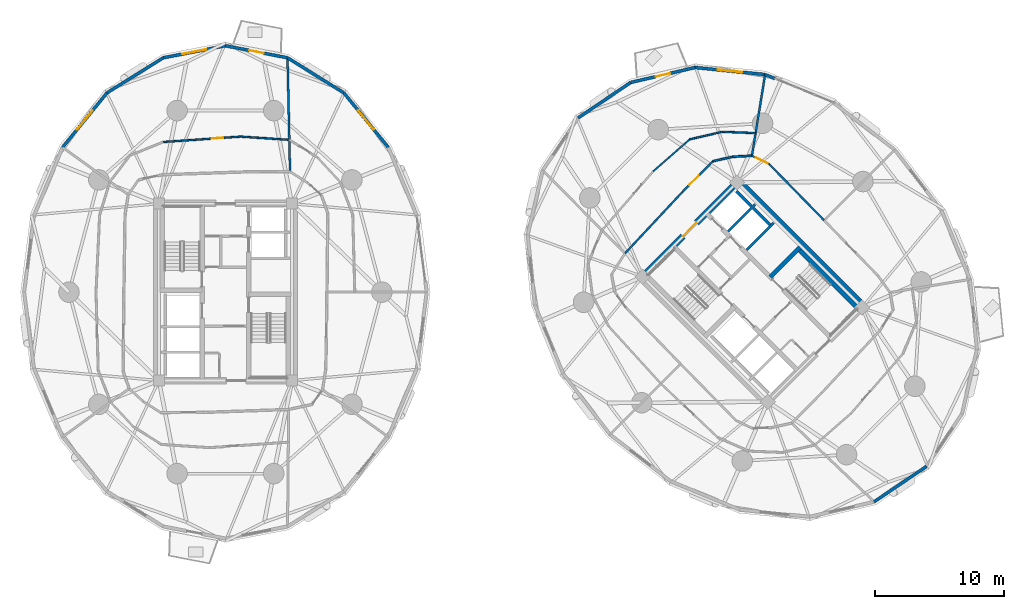
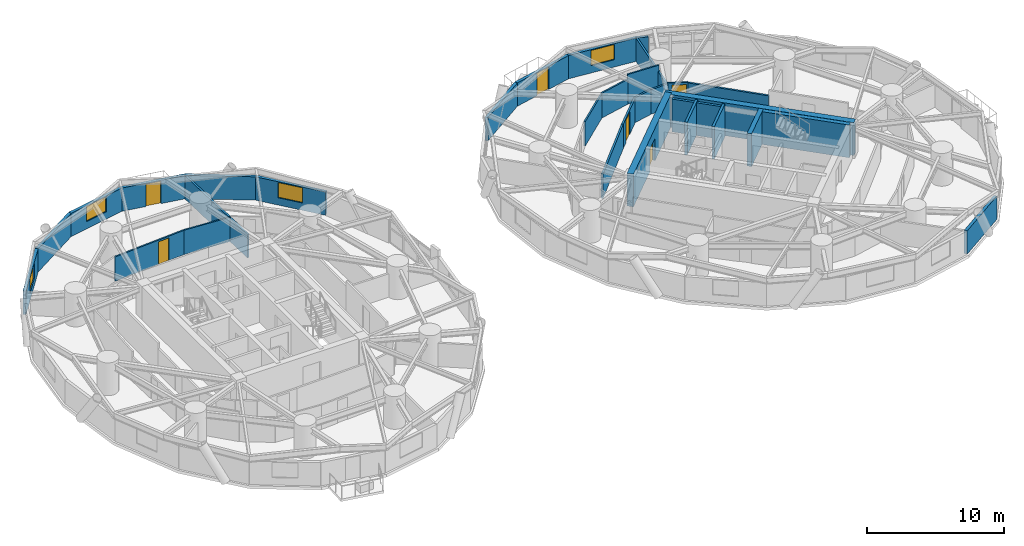
# One storey, part 13 of 17: 32 walls, 6 doors, 4 windows, 10 openings.
"""IFC4 building model written with IfcOpenShell, lengths in metres."""

from ifc_helpers import new_model, si_unit, direction, frame, frame_2d, origin, place, context, subcontext, project, spatial, rectangle, extrude, source, transform, mapped, material, layer, layer_set, type_object, element, fill, save


model = new_model("IFC4")

# Units and contexts
model_context = context("Model", 3, precision=1e-05, world=origin(), true_north=direction((0.0, 1.0)))
body_context = subcontext(model_context, "Body", "Model", "MODEL_VIEW")
ifc_project = project(units=[si_unit("LENGTHUNIT", "METRE"), si_unit("AREAUNIT", "SQUARE_METRE"), si_unit("VOLUMEUNIT", "CUBIC_METRE"), si_unit("PLANEANGLEUNIT", "RADIAN"), si_unit("MASSUNIT", "GRAM", prefix="KILO")], contexts=[model_context])

# Site, building, storey
site_placement = place(None, origin())
site = spatial("IfcSite", under=ifc_project, at=site_placement, CompositionType="ELEMENT")
building_placement = place(site_placement, origin())
building = spatial("IfcBuilding", under=site, at=building_placement, Name="Cununo Teusaquillo Station Towers", CompositionType="ELEMENT")
storey_placement = place(building_placement, frame((0.0, 0.0, 59.830078125)))
storey = spatial("IfcBuildingStorey", under=building, at=storey_placement, Name="L18", CompositionType="ELEMENT", Elevation=59.830078125)

# Walls
ifc_material_1 = material(Name="Concrete C50/60", Category="concrete")
ifc_layer_1 = layer(ifc_material_1, 0.199951171875)
ifc_layer_set_1 = layer_set([ifc_layer_1], Name="Concrete C50/60")
wall_type_1 = type_object("IfcWallType", Name="WL-CORE-200", PredefinedType="SHEAR", material=ifc_layer_set_1)
wall_1_placement = place(storey_placement, frame((57.0615234375, 27.781005859375, 0.0), z_axis=(0.0, 0.0, 1.0), x_axis=(0.707106781187, 0.707106781187, 0.0)))
element("IfcWall", 1, at=wall_1_placement, inside=storey, type_object=wall_type_1, Name="L18 Tower B Low-Rise Lift Hoistway South Shear Wall", PredefinedType="SHEAR", context=body_context, shape_type="SweptSolid", body=[
    extrude(rectangle(XDim=2.969970703125, YDim=0.199951171875, at=frame_2d((1.48486328125, 0.0))), origin(), (0.0, 0.0, 1.0), 2.909912109375),
])
wall_2_placement = place(storey_placement, frame((55.615478515625, 29.22705078125, 0.0), z_axis=(0.0, 0.0, 1.0), x_axis=(0.707147878904, 0.70706568108, 0.0)))
element("IfcWall", 2, at=wall_2_placement, inside=storey, type_object=wall_type_1, Name="L18 Tower B Low-Rise Lift Hoistway Divider Shear Wall", PredefinedType="SHEAR", context=body_context, shape_type="SweptSolid", body=[
    extrude(rectangle(XDim=2.97021484375, YDim=0.199951171875, at=frame_2d((1.485107421875, 0.0))), origin(), (0.0, 0.0, 1.0), 2.909912109375),
])
wall_3_placement = place(storey_placement, frame((58.86474609375, 29.75390625, 0.0), z_axis=(0.0, 0.0, 1.0), x_axis=(-0.707174411312, 0.707039144592, 0.0)))
element("IfcWall", 3, at=wall_3_placement, inside=storey, type_object=wall_type_1, Name="L18 Tower B Low-Rise Lift 1 Shaft Rear Shear Wall", PredefinedType="SHEAR", context=body_context, shape_type="SweptSolid", body=[
    extrude(rectangle(XDim=1.804931640625, YDim=0.199951171875, at=frame_2d((0.90234375, 0.0))), origin(), (0.0, 0.0, 1.0), 2.909912109375),
])
wall_4_placement = place(storey_placement, frame((57.418701171875, 31.19970703125, 0.0), z_axis=(0.0, 0.0, 1.0), x_axis=(-0.707032117043, 0.707181437447, 0.0)))
element("IfcWall", 4, at=wall_4_placement, inside=storey, type_object=wall_type_1, Name="L18 Tower B Low-Rise Lift 2 Shaft Rear Shear Wall", PredefinedType="SHEAR", context=body_context, shape_type="SweptSolid", body=[
    extrude(rectangle(XDim=1.635009765625, YDim=0.199951171875, at=frame_2d((0.8173828125, 0.0))), origin(), (0.0, 0.0, 1.0), 2.909912109375),
])
ifc_material_2 = material(Name="Concrete C50/60", Category="concrete")
ifc_layer_2 = layer(ifc_material_2, 0.35009765625)
ifc_layer_set_2 = layer_set([ifc_layer_2], Name="Concrete C50/60")
wall_type_2 = type_object("IfcWallType", Name="WL-CORE-350", PredefinedType="SHEAR", material=ifc_layer_set_2)
wall_5_placement = place(storey_placement, frame((65.847412109375, 23.08935546875, 0.0), z_axis=(0.0, 0.0, 1.0), x_axis=(-0.707106781187, 0.707106781187, 0.0)))
element("IfcWall", 5, at=wall_5_placement, inside=storey, type_object=wall_type_2, Name="L18 Tower B Core Shear Wall ST2E", PredefinedType="SHEAR", context=body_context, shape_type="SweptSolid", body=[
    extrude(rectangle(XDim=6.7451171875, YDim=0.35009765625, at=frame_2d((3.37255859375, 0.0))), origin(), (0.0, 0.0, 1.0), 2.909912109375),
])
wall_6_placement = place(storey_placement, frame((58.89306640625, 25.673828125, 0.0), z_axis=(0.0, 0.0, 1.0), x_axis=(0.707106781187, 0.707106781187, 0.0)))
element("IfcWall", 6, at=wall_6_placement, inside=storey, type_object=wall_type_2, Name="L18 Tower B Core Shear Wall ST2N", PredefinedType="SHEAR", context=body_context, shape_type="SweptSolid", body=[
    extrude(rectangle(XDim=3.284912109375, YDim=0.35009765625, at=frame_2d((1.642578125, 0.0))), origin(), (0.0, 0.0, 1.0), 2.909912109375),
])
ifc_material_3 = material(Name="Concrete C60/75", Category="concrete")
ifc_layer_3 = layer(ifc_material_3, 0.5)
ifc_layer_set_3 = layer_set([ifc_layer_3], Name="Concrete C60/75")
wall_type_3 = type_object("IfcWallType", Name="WL-CORE-500", PredefinedType="SHEAR", material=ifc_layer_set_3)
wall_7_placement = place(storey_placement, frame((66.3388671875, 23.227294921875, 0.0), z_axis=(0.0, 0.0, 1.0), x_axis=(-0.707106781187, 0.707106781187, 0.0)))
element("IfcWall", 7, at=wall_7_placement, inside=storey, type_object=wall_type_3, Name="L18 Tower B Core Shear Wall E", PredefinedType="SHEAR", context=body_context, shape_type="SweptSolid", body=[
    extrude(rectangle(XDim=14.2998046875, YDim=0.5, at=frame_2d((7.14990234375, 0.0))), origin(), (0.0, 0.0, 1.0), 2.909912109375),
])

# Wall, opening, door
wall_8_placement = place(storey_placement, frame((48.837890625, 25.595947265625, 0.0), z_axis=(0.0, 0.0, 1.0), x_axis=(0.707106781187, 0.707106781187, 0.0)))
wall_8 = element("IfcWall", 8, at=wall_8_placement, inside=storey, type_object=wall_type_3, Name="L18 Tower B Core Shear Wall N", PredefinedType="SHEAR", context=body_context, shape_type="SweptSolid", body=[
    extrude(rectangle(XDim=10.7001953125, YDim=0.5, at=frame_2d((5.35009765625, 0.0))), origin(), (0.0, 0.0, 1.0), 2.909912109375),
])
shared_shape_1 = source(origin(), body_context, "Body", "SweptSolid", [
    extrude(rectangle(XDim=1.5, YDim=2.02001953125, at=frame_2d((0.75, 1.010009765625))), frame((0.0, 0.260009765625, 0.0), z_axis=(0.0, -1.0, 0.0), x_axis=(1.0, 0.0, 0.0)), (0.0, 0.0, 1.0), 0.52001953125),
])
opening_1_placement = place(wall_8_placement, frame((4.60009765625, 0.0, 0.0)))
opening_1 = element("IfcOpeningElement", 9, at=opening_1_placement, cuts=wall_8, Name="Opening D-LB1", PredefinedType="OPENING", context=body_context, shape_type="MappedRepresentation", body=[
    mapped(shared_shape_1, transform((0.0, 0.0, 0.0), x_axis=(1.0, 0.0, 0.0), y_axis=(0.0, 1.0, 0.0), z_axis=(0.0, 0.0, 1.0), scale=1.0)),
])
ifc_material_4 = material(Name="Galvanised fire-rated hollow steel door assembly", Category="steel")
door_type_1 = type_object("IfcDoorType", Name="DR-LOBBY-1500", OperationType="DOUBLE_DOOR_SINGLE_SWING", PredefinedType="DOOR", material=ifc_material_4)
shared_shape_2 = source(origin(), body_context, "Body", "SweptSolid", [
    extrude(rectangle(XDim=1.5, YDim=2.02001953125, at=frame_2d((0.75, 1.010009765625))), frame((0.0, 0.02490234375, 0.0), z_axis=(0.0, -1.0, 0.0), x_axis=(1.0, 0.0, 0.0)), (0.0, 0.0, 1.0), 0.050048828125),
])
door_1_placement = place(opening_1_placement, origin())
door_1 = element("IfcDoor", 10, at=door_1_placement, inside=storey, type_object=door_type_1, Name="L18 Tower B North Core Lift Lobby Door", OperationType="DOUBLE_DOOR_SINGLE_SWING", OverallHeight=2.02001953125, OverallWidth=1.5, PredefinedType="DOOR", context=body_context, shape_type="MappedRepresentation", body=[
    mapped(shared_shape_2, transform((0.0, 0.0, 0.0), x_axis=(1.0, 0.0, 0.0), y_axis=(0.0, 1.0, 0.0), z_axis=(0.0, 0.0, 1.0), scale=1.0)),
])
fill(opening_1, door_1)

# Wall, opening, window
ifc_material_5 = material(Name="Precast concrete C40/50", Category="concrete")
ifc_layer_4 = layer(ifc_material_5, 0.239990234375)
ifc_layer_set_4 = layer_set([ifc_layer_4], Name="Precast concrete C40/50")
wall_type_4 = type_object("IfcWallType", Name="WL-EXT-240", PredefinedType="SOLIDWALL", material=ifc_layer_set_4)
wall_9_placement = place(storey_placement, frame((25.70654296875, 40.0087890625, 0.0), z_axis=(0.0, 0.0, 1.0), x_axis=(0.632713287022, -0.77438614168, 0.0)))
wall_9 = element("IfcWall", 11, at=wall_9_placement, inside=storey, type_object=wall_type_4, Name="L18 Tower A Exterior Facade Wall C02", PredefinedType="SOLIDWALL", context=body_context, shape_type="SweptSolid", body=[
    extrude(rectangle(XDim=5.4765625, YDim=0.239990234375, at=frame_2d((2.73828125, 0.0))), origin(), (0.0, 0.0, 1.0), 2.072998046875),
])
shared_shape_3 = source(origin(), body_context, "Body", "SweptSolid", [
    extrude(rectangle(XDim=1.89990234375, YDim=1.35009765625, at=frame_2d((0.949951171875, 0.675048828125))), frame((0.0, 0.1298828125, 0.0), z_axis=(0.0, -1.0, 0.0), x_axis=(1.0, 0.0, 0.0)), (0.0, 0.0, 1.0), 0.260009765625),
])
opening_2_placement = place(wall_9_placement, frame((1.7880859375, 0.0, 0.64990234375)))
opening_2 = element("IfcOpeningElement", 12, at=opening_2_placement, cuts=wall_9, Name="Opening WN-02", PredefinedType="OPENING", context=body_context, shape_type="MappedRepresentation", body=[
    mapped(shared_shape_3, transform((0.0, 0.0, 0.0), x_axis=(1.0, 0.0, 0.0), y_axis=(0.0, 1.0, 0.0), z_axis=(0.0, 0.0, 1.0), scale=1.0)),
])
ifc_material_6 = material(Name="Operable acoustic tinted low-E double glazing", Category="glass")
window_type = type_object("IfcWindowType", Name="WIN-OPER-1900", PartitioningType="DOUBLE_PANEL_VERTICAL", PredefinedType="WINDOW", material=ifc_material_6)
shared_shape_4 = source(origin(), body_context, "Body", "SweptSolid", [
    extrude(rectangle(XDim=1.89990234375, YDim=1.35009765625, at=frame_2d((0.949951171875, 0.675048828125))), frame((0.0, 0.030029296875, 0.0), z_axis=(0.0, -1.0, 0.0), x_axis=(1.0, 0.0, 0.0)), (0.0, 0.0, 1.0), 0.06005859375),
])
window_1_placement = place(opening_2_placement, origin())
window_1 = element("IfcWindow", 13, at=window_1_placement, inside=storey, type_object=window_type, Name="L18 Tower A Facade Window C02", OverallHeight=1.35009765625, OverallWidth=1.89990234375, PartitioningType="DOUBLE_PANEL_VERTICAL", PredefinedType="WINDOW", context=body_context, shape_type="MappedRepresentation", body=[
    mapped(shared_shape_4, transform((0.0, 0.0, 0.0), x_axis=(1.0, 0.0, 0.0), y_axis=(0.0, 1.0, 0.0), z_axis=(0.0, 0.0, 1.0), scale=1.0)),
])
fill(opening_2, window_1)

# Wall
wall_10_placement = place(storey_placement, frame((21.340087890625, 42.731689453125, 0.0), z_axis=(0.0, 0.0, 1.0), x_axis=(0.848533613342, -0.529141481107, 0.0)))
element("IfcWall", 14, at=wall_10_placement, inside=storey, type_object=wall_type_4, Name="L18 Tower A Exterior Facade Wall C03", PredefinedType="SOLIDWALL", context=body_context, shape_type="SweptSolid", body=[
    extrude(rectangle(XDim=5.14599609375, YDim=0.239990234375, at=frame_2d((2.572998046875, 0.0))), origin(), (0.0, 0.0, 1.0), 2.072998046875),
])

# Wall, opening, door
wall_11_placement = place(storey_placement, frame((16.5, 43.669921875, 0.0), z_axis=(0.0, 0.0, 1.0), x_axis=(0.981725274071, -0.190303668512, 0.0)))
wall_11 = element("IfcWall", 15, at=wall_11_placement, inside=storey, type_object=wall_type_4, Name="L18 Tower A Exterior Facade Wall C04", PredefinedType="SOLIDWALL", context=body_context, shape_type="SweptSolid", body=[
    extrude(rectangle(XDim=4.93017578125, YDim=0.239990234375, at=frame_2d((2.465087890625, 0.0))), origin(), (0.0, 0.0, 1.0), 2.072998046875),
])
shared_shape_5 = source(origin(), body_context, "Body", "SweptSolid", [
    extrude(rectangle(XDim=1.14990234375, YDim=2.0048828125, at=frame_2d((0.574951171875, 1.00244140625))), frame((0.0, 0.1298828125, 0.0), z_axis=(0.0, -1.0, 0.0), x_axis=(1.0, 0.0, 0.0)), (0.0, 0.0, 1.0), 0.260009765625),
])
opening_3_placement = place(wall_11_placement, frame((1.889892578125, 0.0, 0.0)))
opening_3 = element("IfcOpeningElement", 16, at=opening_3_placement, cuts=wall_11, Name="Opening ED-03", PredefinedType="OPENING", context=body_context, shape_type="MappedRepresentation", body=[
    mapped(shared_shape_5, transform((0.0, 0.0, 0.0), x_axis=(1.0, 0.0, 0.0), y_axis=(0.0, 1.0, 0.0), z_axis=(0.0, 0.0, 1.0), scale=1.0)),
])
ifc_material_7 = material(Name="Anodised dark bronze aluminium EN AW-6063-T6", Category="aluminium")
door_type_2 = type_object("IfcDoorType", Name="DR-EXT-BAL", OperationType="NOTDEFINED", PredefinedType="DOOR", material=ifc_material_7)
shared_shape_6 = source(origin(), body_context, "Body", "SweptSolid", [
    extrude(rectangle(XDim=1.14990234375, YDim=2.0048828125, at=frame_2d((0.574951171875, 1.00244140625))), frame((0.0, 0.02490234375, 0.0), z_axis=(0.0, -1.0, 0.0), x_axis=(1.0, 0.0, 0.0)), (0.0, 0.0, 1.0), 0.050048828125),
])
door_2_placement = place(opening_3_placement, origin())
door_2 = element("IfcDoor", 17, at=door_2_placement, inside=storey, type_object=door_type_2, Name="L18 Tower A Tree Balcony Door C04", OperationType="SINGLE_SWING_LEFT", OverallHeight=2.0048828125, OverallWidth=1.14990234375, PredefinedType="DOOR", context=body_context, shape_type="MappedRepresentation", body=[
    mapped(shared_shape_6, transform((0.0, 0.0, 0.0), x_axis=(1.0, 0.0, 0.0), y_axis=(0.0, 1.0, 0.0), z_axis=(0.0, 0.0, 1.0), scale=1.0)),
])
fill(opening_3, door_2)

# Wall, opening, window
wall_12_placement = place(storey_placement, frame((11.659912109375, 42.731689453125, 0.0), z_axis=(0.0, 0.0, 1.0), x_axis=(0.981725274071, 0.190303668512, 0.0)))
wall_12 = element("IfcWall", 18, at=wall_12_placement, inside=storey, type_object=wall_type_4, Name="L18 Tower A Exterior Facade Wall C05", PredefinedType="SOLIDWALL", context=body_context, shape_type="SweptSolid", body=[
    extrude(rectangle(XDim=4.93017578125, YDim=0.239990234375, at=frame_2d((2.465087890625, 0.0))), origin(), (0.0, 0.0, 1.0), 2.072998046875),
])
opening_4_placement = place(wall_12_placement, frame((1.514892578125, 0.0, 0.64990234375)))
opening_4 = element("IfcOpeningElement", 19, at=opening_4_placement, cuts=wall_12, Name="Opening WN-02", PredefinedType="OPENING", context=body_context, shape_type="MappedRepresentation", body=[
    mapped(shared_shape_3, transform((0.0, 0.0, 0.0), x_axis=(1.0, 0.0, 0.0), y_axis=(0.0, 1.0, 0.0), z_axis=(0.0, 0.0, 1.0), scale=1.0)),
])
window_2_placement = place(opening_4_placement, origin())
window_2 = element("IfcWindow", 20, at=window_2_placement, inside=storey, type_object=window_type, Name="L18 Tower A Facade Window C05", OverallHeight=1.35009765625, OverallWidth=1.89990234375, PartitioningType="DOUBLE_PANEL_VERTICAL", PredefinedType="WINDOW", context=body_context, shape_type="MappedRepresentation", body=[
    mapped(shared_shape_4, transform((0.0, 0.0, 0.0), x_axis=(1.0, 0.0, 0.0), y_axis=(0.0, 1.0, 0.0), z_axis=(0.0, 0.0, 1.0), scale=1.0)),
])
fill(opening_4, window_2)

# Wall
wall_13_placement = place(storey_placement, frame((7.29345703125, 40.0087890625, 0.0), z_axis=(0.0, 0.0, 1.0), x_axis=(0.848533613342, 0.529141481107, 0.0)))
element("IfcWall", 21, at=wall_13_placement, inside=storey, type_object=wall_type_4, Name="L18 Tower A Exterior Facade Wall C06", PredefinedType="SOLIDWALL", context=body_context, shape_type="SweptSolid", body=[
    extrude(rectangle(XDim=5.14599609375, YDim=0.239990234375, at=frame_2d((2.572998046875, 0.0))), origin(), (0.0, 0.0, 1.0), 2.072998046875),
])

# Wall, opening, window
wall_14_placement = place(storey_placement, frame((3.828369140625, 35.767822265625, 0.0), z_axis=(0.0, 0.0, 1.0), x_axis=(0.632713287022, 0.77438614168, 0.0)))
wall_14 = element("IfcWall", 22, at=wall_14_placement, inside=storey, type_object=wall_type_4, Name="L18 Tower A Exterior Facade Wall C07", PredefinedType="SOLIDWALL", context=body_context, shape_type="SweptSolid", body=[
    extrude(rectangle(XDim=5.4765625, YDim=0.239990234375, at=frame_2d((2.73828125, 0.0))), origin(), (0.0, 0.0, 1.0), 2.072998046875),
])
opening_5_placement = place(wall_14_placement, frame((1.7880859375, 0.0, 0.64990234375)))
opening_5 = element("IfcOpeningElement", 23, at=opening_5_placement, cuts=wall_14, Name="Opening WN-02", PredefinedType="OPENING", context=body_context, shape_type="MappedRepresentation", body=[
    mapped(shared_shape_3, transform((0.0, 0.0, 0.0), x_axis=(1.0, 0.0, 0.0), y_axis=(0.0, 1.0, 0.0), z_axis=(0.0, 0.0, 1.0), scale=1.0)),
])
window_3_placement = place(opening_5_placement, origin())
window_3 = element("IfcWindow", 24, at=window_3_placement, inside=storey, type_object=window_type, Name="L18 Tower A Facade Window C07", OverallHeight=1.35009765625, OverallWidth=1.89990234375, PartitioningType="DOUBLE_PANEL_VERTICAL", PredefinedType="WINDOW", context=body_context, shape_type="MappedRepresentation", body=[
    mapped(shared_shape_4, transform((0.0, 0.0, 0.0), x_axis=(1.0, 0.0, 0.0), y_axis=(0.0, 1.0, 0.0), z_axis=(0.0, 0.0, 1.0), scale=1.0)),
])
fill(opening_5, window_3)

# Wall
wall_15_placement = place(storey_placement, frame((58.49267578125, 41.427734375, 0.0), z_axis=(0.0, 0.0, 1.0), x_axis=(0.924556017656, -0.381046152345, 0.0)))
element("IfcWall", 25, at=wall_15_placement, inside=storey, type_object=wall_type_4, Name="L18 Tower B Column Pier Cladding Wall C01-PA", PredefinedType="SOLIDWALL", context=body_context, shape_type="SweptSolid", body=[
    extrude(rectangle(XDim=0.8701171875, YDim=0.239990234375, at=frame_2d((0.43505859375, 0.0))), origin(), (0.0, 0.0, 1.0), 2.072998046875),
])

# Wall, opening, window
wall_16_placement = place(storey_placement, frame((53.04345703125, 41.976318359375, 0.0), z_axis=(0.0, 0.0, 1.0), x_axis=(0.994970765694, -0.100165739718, 0.0)))
wall_16 = element("IfcWall", 26, at=wall_16_placement, inside=storey, type_object=wall_type_4, Name="L18 Tower B Exterior Facade Wall C02", PredefinedType="SOLIDWALL", context=body_context, shape_type="SweptSolid", body=[
    extrude(rectangle(XDim=5.476806640625, YDim=0.239990234375, at=frame_2d((2.73828125, 0.0))), origin(), (0.0, 0.0, 1.0), 2.072998046875),
])
opening_6_placement = place(wall_16_placement, frame((1.7880859375, 0.0, 0.64990234375)))
opening_6 = element("IfcOpeningElement", 27, at=opening_6_placement, cuts=wall_16, Name="Opening WN-02", PredefinedType="OPENING", context=body_context, shape_type="MappedRepresentation", body=[
    mapped(shared_shape_3, transform((0.0, 0.0, 0.0), x_axis=(1.0, 0.0, 0.0), y_axis=(0.0, 1.0, 0.0), z_axis=(0.0, 0.0, 1.0), scale=1.0)),
])
window_4_placement = place(opening_6_placement, origin())
window_4 = element("IfcWindow", 28, at=window_4_placement, inside=storey, type_object=window_type, Name="L18 Tower B Facade Window C02", OverallHeight=1.35009765625, OverallWidth=1.89990234375, PartitioningType="DOUBLE_PANEL_VERTICAL", PredefinedType="WINDOW", context=body_context, shape_type="MappedRepresentation", body=[
    mapped(shared_shape_4, transform((0.0, 0.0, 0.0), x_axis=(1.0, 0.0, 0.0), y_axis=(0.0, 1.0, 0.0), z_axis=(0.0, 0.0, 1.0), scale=1.0)),
])
fill(opening_6, window_4)

# Wall, opening, door
wall_17_placement = place(storey_placement, frame((48.030517578125, 40.814208984375, 0.0), z_axis=(0.0, 0.0, 1.0), x_axis=(0.974166016949, 0.225833060959, 0.0)))
wall_17 = element("IfcWall", 29, at=wall_17_placement, inside=storey, type_object=wall_type_4, Name="L18 Tower B Exterior Facade Wall C03", PredefinedType="SOLIDWALL", context=body_context, shape_type="SweptSolid", body=[
    extrude(rectangle(XDim=5.14599609375, YDim=0.239990234375, at=frame_2d((2.572998046875, 0.0))), origin(), (0.0, 0.0, 1.0), 2.072998046875),
])
opening_7_placement = place(wall_17_placement, frame((1.998046875, 0.0, 0.0)))
opening_7 = element("IfcOpeningElement", 30, at=opening_7_placement, cuts=wall_17, Name="Opening ED-03", PredefinedType="OPENING", context=body_context, shape_type="MappedRepresentation", body=[
    mapped(shared_shape_5, transform((0.0, 0.0, 0.0), x_axis=(1.0, 0.0, 0.0), y_axis=(0.0, 1.0, 0.0), z_axis=(0.0, 0.0, 1.0), scale=1.0)),
])
door_3_placement = place(opening_7_placement, origin())
door_3 = element("IfcDoor", 31, at=door_3_placement, inside=storey, type_object=door_type_2, Name="L18 Tower B Tree Balcony Door C03", OperationType="SINGLE_SWING_LEFT", OverallHeight=2.0048828125, OverallWidth=1.14990234375, PredefinedType="DOOR", context=body_context, shape_type="MappedRepresentation", body=[
    mapped(shared_shape_6, transform((0.0, 0.0, 0.0), x_axis=(1.0, 0.0, 0.0), y_axis=(0.0, 1.0, 0.0), z_axis=(0.0, 0.0, 1.0), scale=1.0)),
])
fill(opening_7, door_3)

# Walls
for number, where, z_axis, x_axis, name in (
    (32, (43.94482421875, 38.05517578125, 0.0), (0.0, 0.0, 1.0), (0.828736708604, 0.559638693991, 0.0), "L18 Tower B Exterior Facade Wall C04"),
    (33, (71.05517578125, 10.94482421875, 0.0), (0.0, 0.0, 1.0), (-0.828736708604, -0.559638693991, 0.0), "L18 Tower B Exterior Facade Wall C14"),
):
    element("IfcWall", number, at=place(storey_placement, frame(where, z_axis=z_axis, x_axis=x_axis)), inside=storey, type_object=wall_type_4, Name=name, PredefinedType="SOLIDWALL", context=body_context, shape_type="SweptSolid", body=[
        extrude(rectangle(XDim=4.929931640625, YDim=0.239990234375, at=frame_2d((2.46484375, 0.0))), origin(), (0.0, 0.0, 1.0), 2.072998046875),
    ])
ifc_material_8 = material(Name="Fire-rated gypsum plasterboard partition assembly", Category="gypsum")
ifc_layer_5 = layer(ifc_material_8, 0.125)
ifc_layer_set_5 = layer_set([ifc_layer_5], Name="Fire-rated gypsum plasterboard partition assembly")
wall_type_5 = type_object("IfcWallType", Name="WL-PART-125", PredefinedType="PARTITIONING", material=ifc_layer_set_5)
wall_18_placement = place(storey_placement, frame((21.472900390625, 36.348388671875, 0.0), z_axis=(0.0, 0.0, 1.0), x_axis=(-0.997789137643, 0.066459286803, 0.0)))
element("IfcWall", 34, at=wall_18_placement, inside=storey, type_object=wall_type_5, Name="L18 Tower A Hotel Private Banquet Salon Concentric Partition Wall C04", PredefinedType="PARTITIONING", context=body_context, shape_type="SweptSolid", body=[
    extrude(rectangle(XDim=3.79833984375, YDim=0.125, at=frame_2d((1.899169921875, 0.0))), origin(), (0.0, 0.0, 1.0), 2.158935546875),
])

# Wall, opening, door
wall_19_placement = place(storey_placement, frame((17.682861328125, 36.600830078125, 0.0), z_axis=(0.0, 0.0, 1.0), x_axis=(-0.997569247495, -0.06968210998, 0.0)))
wall_19 = element("IfcWall", 35, at=wall_19_placement, inside=storey, type_object=wall_type_5, Name="L18 Tower A Hotel Private Banquet Salon Concentric Partition Wall C05", PredefinedType="PARTITIONING", context=body_context, shape_type="SweptSolid", body=[
    extrude(rectangle(XDim=6.064697265625, YDim=0.125, at=frame_2d((3.0322265625, 0.0))), origin(), (0.0, 0.0, 1.0), 2.158935546875),
])
shared_shape_7 = source(origin(), body_context, "Body", "SweptSolid", [
    extrude(rectangle(XDim=0.89990234375, YDim=2.0048828125, at=frame_2d((0.449951171875, 1.00244140625))), frame((0.0, 0.072509765625, 0.0), z_axis=(0.0, -1.0, 0.0), x_axis=(1.0, 0.0, 0.0)), (0.0, 0.0, 1.0), 0.14501953125),
])
opening_8_placement = place(wall_19_placement, frame((1.351318359375, 0.0, 0.0)))
opening_8 = element("IfcOpeningElement", 36, at=opening_8_placement, cuts=wall_19, Name="Opening D-IN1", PredefinedType="OPENING", context=body_context, shape_type="MappedRepresentation", body=[
    mapped(shared_shape_7, transform((0.0, 0.0, 0.0), x_axis=(1.0, 0.0, 0.0), y_axis=(0.0, 1.0, 0.0), z_axis=(0.0, 0.0, 1.0), scale=1.0)),
])
ifc_material_9 = material(Name="Acoustic solid-core hardwood leaf assembly", Category="wood")
door_type_3 = type_object("IfcDoorType", Name="DR-INT-900", OperationType="NOTDEFINED", PredefinedType="DOOR", material=ifc_material_9)
shared_shape_8 = source(origin(), body_context, "Body", "SweptSolid", [
    extrude(rectangle(XDim=0.89990234375, YDim=2.0048828125, at=frame_2d((0.449951171875, 1.00244140625))), frame((0.0, 0.02490234375, 0.0), z_axis=(0.0, -1.0, 0.0), x_axis=(1.0, 0.0, 0.0)), (0.0, 0.0, 1.0), 0.050048828125),
])
door_4_placement = place(opening_8_placement, origin())
door_4 = element("IfcDoor", 37, at=door_4_placement, inside=storey, type_object=door_type_3, Name="L18 Tower A Hotel Private Banquet Salon Connecting Door", OperationType="SINGLE_SWING_LEFT", OverallHeight=2.0048828125, OverallWidth=0.89990234375, PredefinedType="DOOR", context=body_context, shape_type="MappedRepresentation", body=[
    mapped(shared_shape_8, transform((0.0, 0.0, 0.0), x_axis=(1.0, 0.0, 0.0), y_axis=(0.0, 1.0, 0.0), z_axis=(0.0, 0.0, 1.0), scale=1.0)),
])
fill(opening_8, door_4)

# Walls
wall_20_placement = place(storey_placement, frame((57.753173828125, 36.87451171875, 0.0), z_axis=(0.0, 0.0, 1.0), x_axis=(-0.999273083568, 0.038122230487, 0.0)))
element("IfcWall", 38, at=wall_20_placement, inside=storey, type_object=wall_type_5, Name="L18 Tower B Hotel Private Banquet Salon Concentric Partition Wall C02", PredefinedType="PARTITIONING", context=body_context, shape_type="SweptSolid", body=[
    extrude(rectangle(XDim=2.59375, YDim=0.125, at=frame_2d((1.296875, 0.0))), origin(), (0.0, 0.0, 1.0), 2.635009765625),
])
wall_21_placement = place(storey_placement, frame((55.161376953125, 36.973388671875, 0.0), z_axis=(0.0, 0.0, 1.0), x_axis=(-0.974659115422, -0.223695348019, 0.0)))
element("IfcWall", 39, at=wall_21_placement, inside=storey, type_object=wall_type_5, Name="L18 Tower B Hotel Private Banquet Salon Concentric Partition Wall C03", PredefinedType="PARTITIONING", context=body_context, shape_type="SweptSolid", body=[
    extrude(rectangle(XDim=2.5888671875, YDim=0.125, at=frame_2d((1.29443359375, 0.0))), origin(), (0.0, 0.0, 1.0), 2.204833984375),
])
wall_22_placement = place(storey_placement, frame((52.63818359375, 36.394287109375, 0.0), z_axis=(0.0, 0.0, 1.0), x_axis=(-0.752560767323, -0.658522810149, 0.0)))
element("IfcWall", 40, at=wall_22_placement, inside=storey, type_object=wall_type_5, Name="L18 Tower B Hotel Private Banquet Salon Concentric Partition Wall C04", PredefinedType="PARTITIONING", context=body_context, shape_type="SweptSolid", body=[
    extrude(rectangle(XDim=3.79833984375, YDim=0.125, at=frame_2d((1.899169921875, 0.0))), origin(), (0.0, 0.0, 1.0), 2.158935546875),
])
ifc_material_10 = material(Name="Fire-rated gypsum plasterboard partition assembly", Category="gypsum")
ifc_layer_6 = layer(ifc_material_10, 0.14990234375)
ifc_layer_set_6 = layer_set([ifc_layer_6], Name="Fire-rated gypsum plasterboard partition assembly")
wall_type_6 = type_object("IfcWallType", Name="WL-PART-150", PredefinedType="PARTITIONING", material=ifc_layer_set_6)
wall_23_placement = place(storey_placement, frame((63.086181640625, 30.086181640625, 0.0), z_axis=(0.0, 0.0, 1.0), x_axis=(-0.699075897379, 0.715047473741, 0.0)))
element("IfcWall", 41, at=wall_23_placement, inside=storey, type_object=wall_type_6, Name="L18 Tower B Corridor Ring Wall C00", PredefinedType="PARTITIONING", context=body_context, shape_type="SweptSolid", body=[
    extrude(rectangle(XDim=6.1142578125, YDim=0.14990234375, at=frame_2d((3.05712890625, 0.0))), origin(), (0.0, 0.0, 1.0), 2.158935546875),
])

# Wall, opening, door
wall_24_placement = place(storey_placement, frame((58.811767578125, 34.458251953125, 0.0), z_axis=(0.0, 0.0, 1.0), x_axis=(-0.899559490277, 0.436798264021, 0.0)))
wall_24 = element("IfcWall", 42, at=wall_24_placement, inside=storey, type_object=wall_type_6, Name="L18 Tower B Corridor Ring Wall C01", PredefinedType="PARTITIONING", context=body_context, shape_type="SweptSolid", body=[
    extrude(rectangle(XDim=1.4951171875, YDim=0.14990234375, at=frame_2d((0.74755859375, 0.0))), origin(), (0.0, 0.0, 1.0), 2.204833984375),
])
shared_shape_9 = source(origin(), body_context, "Body", "SweptSolid", [
    extrude(rectangle(XDim=1.050048828125, YDim=2.014892578125, at=frame_2d((0.52490234375, 1.00732421875))), frame((0.0, 0.0849609375, 0.0), z_axis=(0.0, -1.0, 0.0), x_axis=(1.0, 0.0, 0.0)), (0.0, 0.0, 1.0), 0.169921875),
])
opening_9_placement = place(wall_24_placement, frame((0.1201171875, 0.0, 0.0)))
opening_9 = element("IfcOpeningElement", 43, at=opening_9_placement, cuts=wall_24, Name="Opening D-SU1", PredefinedType="OPENING", context=body_context, shape_type="MappedRepresentation", body=[
    mapped(shared_shape_9, transform((0.0, 0.0, 0.0), x_axis=(1.0, 0.0, 0.0), y_axis=(0.0, 1.0, 0.0), z_axis=(0.0, 0.0, 1.0), scale=1.0)),
])
ifc_material_11 = material(Name="Acoustic solid-core hardwood leaf assembly", Category="wood")
door_type_4 = type_object("IfcDoorType", Name="DR-SUITE-1050", OperationType="NOTDEFINED", PredefinedType="DOOR", material=ifc_material_11)
shared_shape_10 = source(origin(), body_context, "Body", "SweptSolid", [
    extrude(rectangle(XDim=1.050048828125, YDim=2.014892578125, at=frame_2d((0.52490234375, 1.00732421875))), frame((0.0, 0.02490234375, 0.0), z_axis=(0.0, -1.0, 0.0), x_axis=(1.0, 0.0, 0.0)), (0.0, 0.0, 1.0), 0.050048828125),
])
door_5_placement = place(opening_9_placement, origin())
door_5 = element("IfcDoor", 44, at=door_5_placement, inside=storey, type_object=door_type_4, Name="L18 Tower B Hotel Sky Conservatory Lounge Entrance Door", OperationType="SINGLE_SWING_LEFT", OverallHeight=2.014892578125, OverallWidth=1.050048828125, PredefinedType="DOOR", context=body_context, shape_type="MappedRepresentation", body=[
    mapped(shared_shape_10, transform((0.0, 0.0, 0.0), x_axis=(1.0, 0.0, 0.0), y_axis=(0.0, 1.0, 0.0), z_axis=(0.0, 0.0, 1.0), scale=1.0)),
])
fill(opening_9, door_5)

# Walls
wall_25_placement = place(storey_placement, frame((57.466796875, 35.111328125, 0.0), z_axis=(0.0, 0.0, 1.0), x_axis=(-0.998691757323, -0.051134859488, 0.0)))
element("IfcWall", 45, at=wall_25_placement, inside=storey, type_object=wall_type_6, Name="L18 Tower B Corridor Ring Wall C02", PredefinedType="PARTITIONING", context=body_context, shape_type="SweptSolid", body=[
    extrude(rectangle(XDim=1.48486328125, YDim=0.14990234375, at=frame_2d((0.742431640625, 0.0))), origin(), (0.0, 0.0, 1.0), 2.158935546875),
])
wall_26_placement = place(storey_placement, frame((55.98388671875, 35.035400390625, 0.0), z_axis=(0.0, 0.0, 1.0), x_axis=(-0.975290305708, -0.22092718165, 0.0)))
element("IfcWall", 46, at=wall_26_placement, inside=storey, type_object=wall_type_6, Name="L18 Tower B Corridor Ring Wall C03", PredefinedType="PARTITIONING", context=body_context, shape_type="SweptSolid", body=[
    extrude(rectangle(XDim=1.596923828125, YDim=0.14990234375, at=frame_2d((0.79833984375, 0.0))), origin(), (0.0, 0.0, 1.0), 2.204833984375),
])

# Wall, opening, door
wall_27_placement = place(storey_placement, frame((54.426513671875, 34.6826171875, 0.0), z_axis=(0.0, 0.0, 1.0), x_axis=(-0.704178989986, -0.710022499687, 0.0)))
wall_27 = element("IfcWall", 47, at=wall_27_placement, inside=storey, type_object=wall_type_6, Name="L18 Tower B Corridor Ring Wall C04", PredefinedType="PARTITIONING", context=body_context, shape_type="SweptSolid", body=[
    extrude(rectangle(XDim=3.38427734375, YDim=0.14990234375, at=frame_2d((1.692138671875, 0.0))), origin(), (0.0, 0.0, 1.0), 2.158935546875),
])
opening_10_placement = place(wall_27_placement, frame((1.5595703125, 0.0, 0.0)))
opening_10 = element("IfcOpeningElement", 48, at=opening_10_placement, cuts=wall_27, Name="Opening D-SU1", PredefinedType="OPENING", context=body_context, shape_type="MappedRepresentation", body=[
    mapped(shared_shape_9, transform((0.0, 0.0, 0.0), x_axis=(1.0, 0.0, 0.0), y_axis=(0.0, 1.0, 0.0), z_axis=(0.0, 0.0, 1.0), scale=1.0)),
])
door_6_placement = place(opening_10_placement, origin())
door_6 = element("IfcDoor", 49, at=door_6_placement, inside=storey, type_object=door_type_4, Name="L18 Tower B Hotel Private Banquet Salon Entrance Door", OperationType="SINGLE_SWING_RIGHT", OverallHeight=2.014892578125, OverallWidth=1.050048828125, PredefinedType="DOOR", context=body_context, shape_type="MappedRepresentation", body=[
    mapped(shared_shape_10, transform((0.0, 0.0, 0.0), x_axis=(1.0, 0.0, 0.0), y_axis=(0.0, 1.0, 0.0), z_axis=(0.0, 0.0, 1.0), scale=1.0)),
])
fill(opening_10, door_6)

# Walls
wall_28_placement = place(storey_placement, frame((52.04345703125, 32.27978515625, 0.0), z_axis=(0.0, 0.0, 1.0), x_axis=(-0.682606081633, -0.730786519661, 0.0)))
element("IfcWall", 50, at=wall_28_placement, inside=storey, type_object=wall_type_6, Name="L18 Tower B Corridor Ring Wall C05", PredefinedType="PARTITIONING", context=body_context, shape_type="SweptSolid", body=[
    extrude(rectangle(XDim=6.526611328125, YDim=0.14990234375, at=frame_2d((3.26318359375, 0.0))), origin(), (0.0, 0.0, 1.0), 2.158935546875),
])
ifc_material_12 = material(Name="Fire-rated gypsum plasterboard partition assembly", Category="gypsum")
ifc_layer_7 = layer(ifc_material_12, 0.159912109375)
ifc_layer_set_7 = layer_set([ifc_layer_7], Name="Fire-rated gypsum plasterboard partition assembly")
wall_type_7 = type_object("IfcWallType", Name="WL-PART-160", PredefinedType="PARTITIONING", material=ifc_layer_set_7)
wall_29_placement = place(storey_placement, frame((21.52685546875, 33.873291015625, 0.0), z_axis=(0.0, 0.0, 1.0), x_axis=(-0.021814395676, 0.999762037758, 0.0)))
element("IfcWall", 51, at=wall_29_placement, inside=storey, type_object=wall_type_7, Name="L18 Tower A Radial Suite Partition R02", PredefinedType="PARTITIONING", context=body_context, shape_type="SweptSolid", body=[
    extrude(rectangle(XDim=8.841552734375, YDim=0.159912109375, at=frame_2d((4.4208984375, 0.0))), origin(), (0.0, 0.0, 1.0), 2.072998046875),
])
wall_30_placement = place(storey_placement, frame((57.466796875, 35.111328125, 0.0), z_axis=(0.0, 0.0, 1.0), x_axis=(0.160314040356, 0.987066060841, 0.0)))
element("IfcWall", 52, at=wall_30_placement, inside=storey, type_object=wall_type_7, Name="L18 Tower B Radial Suite Partition R02", PredefinedType="PARTITIONING", context=body_context, shape_type="SweptSolid", body=[
    extrude(rectangle(XDim=6.37939453125, YDim=0.159912109375, at=frame_2d((3.189697265625, 0.0))), origin(), (0.0, 0.0, 1.0), 2.072998046875),
])

save(model, "model.ifc")
